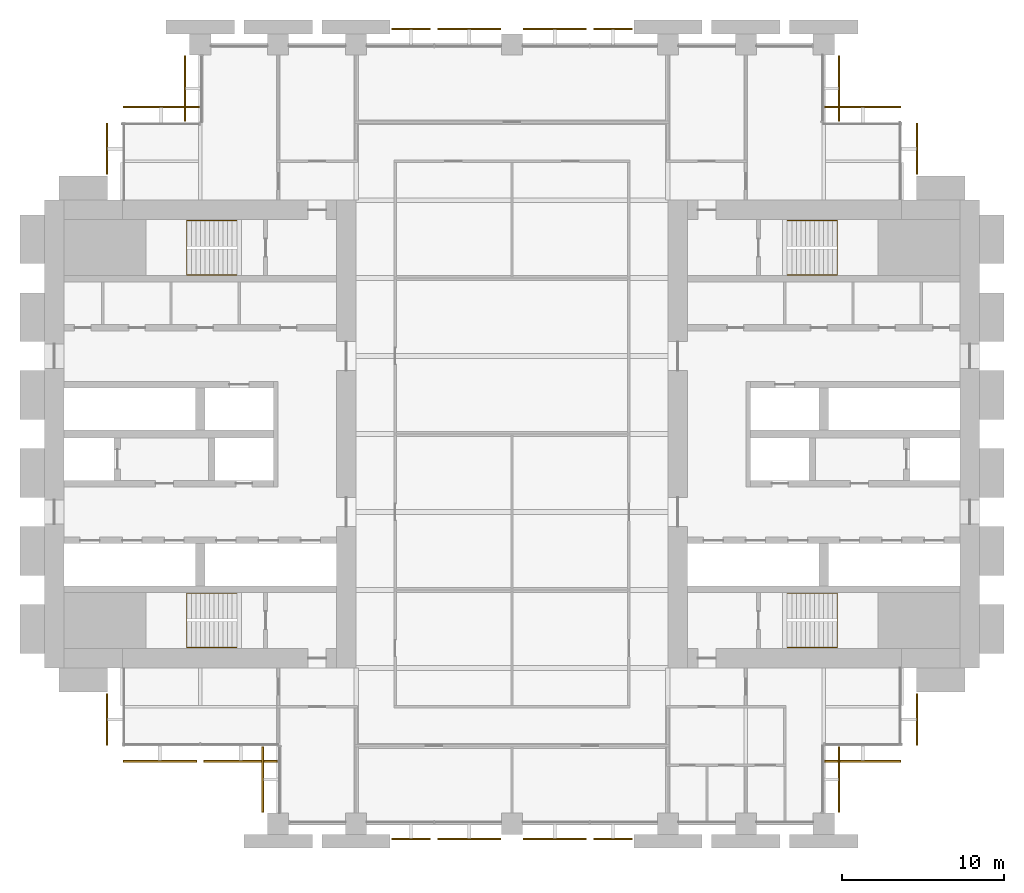
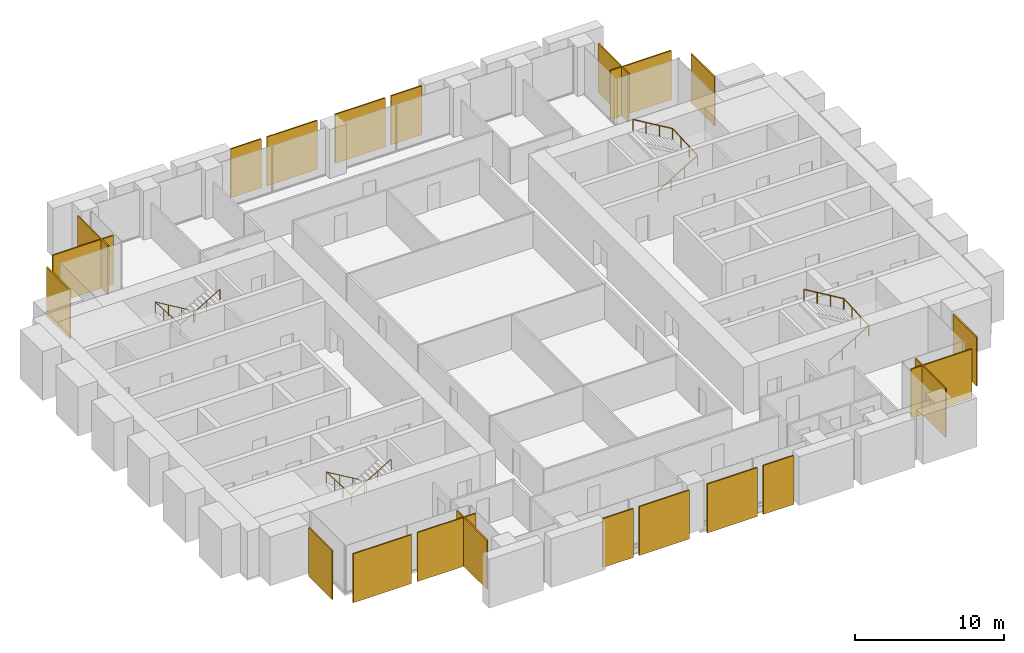
# One storey, part 14 of 14: 21 coverings, 4 railings.
"""IFC4 building model written with IfcOpenShell, lengths in metres."""

from ifc_helpers import new_model, si_unit, direction, frame, origin, origin_2d, place, context, subcontext, project, spatial, polyline, circle, outline, extrude, material, layer, layer_set, type_object, element, save


model = new_model("IFC4")

# Units and contexts
model_context = context("Model", 3, precision=1e-05, world=origin(), true_north=direction((0.0, 1.0)))
body_context = subcontext(model_context, "Body", "Model", "MODEL_VIEW")
ifc_project = project(units=[si_unit("LENGTHUNIT", "METRE"), si_unit("AREAUNIT", "SQUARE_METRE"), si_unit("VOLUMEUNIT", "CUBIC_METRE"), si_unit("PLANEANGLEUNIT", "RADIAN"), si_unit("MASSUNIT", "GRAM", prefix="KILO")], contexts=[model_context])

# Site, building, storey
site_placement = place(None, origin())
site = spatial("IfcSite", under=ifc_project, at=site_placement, CompositionType="ELEMENT")
building_placement = place(site_placement, origin())
building = spatial("IfcBuilding", under=site, at=building_placement, Name="Baori Bourse Tower", CompositionType="ELEMENT")
storey_placement = place(building_placement, frame((0.0, 0.0, 43.0)))
storey = spatial("IfcBuildingStorey", under=building, at=storey_placement, Name="L08", CompositionType="ELEMENT", Elevation=43.0)

# Railings
ifc_material_1 = material(Name="Powder-coated steel balustrade", Category="steel")
railing_type = type_object("IfcRailingType", Name="Core stair handrail", PredefinedType="HANDRAIL", material=ifc_material_1)
railing_1_placement = place(storey_placement, frame((11.85009765625, 14.199951171875, 0.166748046875)))
element("IfcRailing", 1, at=railing_1_placement, inside=storey, type_object=railing_type, Name="L08 ST1 stair handrail 1", PredefinedType="HANDRAIL", context=body_context, shape_type="SweptSolid", body=[
    extrude(circle(Radius=0.02392578125, at=origin_2d()), frame((0.0, 0.0, 0.8759765625), z_axis=(-0.859308565015, 0.0, 0.511457515432), x_axis=(0.0, -1.0, 0.0)), (0.0, 0.0, 1.0), 3.58447265625),
    extrude(circle(Radius=0.02392578125, at=origin_2d()), frame((-3.080078125, 0.0, 2.708984375), z_axis=(0.0, -0.998763387249, 0.04971615724), x_axis=(1.0, 0.0, 0.0)), (0.0, 0.0, 1.0), 3.35400390625),
    extrude(circle(Radius=0.02392578125, at=origin_2d()), frame((-3.080078125, -3.349853515625, 2.8759765625), z_axis=(0.859308565015, 0.0, 0.511457515432), x_axis=(0.0, 1.0, 0.0)), (0.0, 0.0, 1.0), 3.58447265625),
    extrude(circle(Radius=0.02099609375, at=origin_2d()), origin(), (0.0, 0.0, 1.0), 0.851806640625),
    extrude(circle(Radius=0.02099609375, at=origin_2d()), frame((-1.026611328125, 0.0, 0.611083984375)), (0.0, 0.0, 1.0), 0.851806640625),
    extrude(circle(Radius=0.02099609375, at=origin_2d()), frame((-2.053466796875, 0.0, 1.22216796875)), (0.0, 0.0, 1.0), 0.851806640625),
    extrude(circle(Radius=0.02099609375, at=origin_2d()), frame((-3.080078125, 0.0, 1.833251953125)), (0.0, 0.0, 1.0), 0.851806640625),
    extrude(circle(Radius=0.02099609375, at=origin_2d()), frame((-3.080078125, -1.11669921875, 1.888916015625)), (0.0, 0.0, 1.0), 0.851806640625),
    extrude(circle(Radius=0.02099609375, at=origin_2d()), frame((-3.080078125, -2.233154296875, 1.9443359375)), (0.0, 0.0, 1.0), 0.851806640625),
    extrude(circle(Radius=0.02099609375, at=origin_2d()), frame((-3.080078125, -3.349853515625, 2.0)), (0.0, 0.0, 1.0), 0.851806640625),
    extrude(circle(Radius=0.02099609375, at=origin_2d()), frame((-2.053466796875, -3.349853515625, 2.611083984375)), (0.0, 0.0, 1.0), 0.851806640625),
    extrude(circle(Radius=0.02099609375, at=origin_2d()), frame((-1.026611328125, -3.349853515625, 3.22216796875)), (0.0, 0.0, 1.0), 0.851806640625),
    extrude(circle(Radius=0.02099609375, at=origin_2d()), frame((0.0, -3.349853515625, 3.833251953125)), (0.0, 0.0, 1.0), 0.851806640625),
])
railing_2_placement = place(storey_placement, frame((11.85009765625, 37.14990234375, 0.166748046875)))
element("IfcRailing", 2, at=railing_2_placement, inside=storey, type_object=railing_type, Name="L08 ST2 stair handrail 1", PredefinedType="HANDRAIL", context=body_context, shape_type="SweptSolid", body=[
    extrude(circle(Radius=0.02392578125, at=origin_2d()), frame((0.0, 0.0, 0.8759765625), z_axis=(-0.859308565015, 0.0, 0.511457515432), x_axis=(0.0, -1.0, 0.0)), (0.0, 0.0, 1.0), 3.58447265625),
    extrude(circle(Radius=0.02392578125, at=origin_2d()), frame((-3.080078125, 0.0, 2.708984375), z_axis=(0.0, -0.998763387249, 0.04971615724), x_axis=(1.0, 0.0, 0.0)), (0.0, 0.0, 1.0), 3.35400390625),
    extrude(circle(Radius=0.02392578125, at=origin_2d()), frame((-3.080078125, -3.349853515625, 2.8759765625), z_axis=(0.859308565015, 0.0, 0.511457515432), x_axis=(0.0, 1.0, 0.0)), (0.0, 0.0, 1.0), 3.58447265625),
    extrude(circle(Radius=0.02099609375, at=origin_2d()), origin(), (0.0, 0.0, 1.0), 0.851806640625),
    extrude(circle(Radius=0.02099609375, at=origin_2d()), frame((-1.026611328125, 0.0, 0.611083984375)), (0.0, 0.0, 1.0), 0.851806640625),
    extrude(circle(Radius=0.02099609375, at=origin_2d()), frame((-2.053466796875, 0.0, 1.22216796875)), (0.0, 0.0, 1.0), 0.851806640625),
    extrude(circle(Radius=0.02099609375, at=origin_2d()), frame((-3.080078125, 0.0, 1.833251953125)), (0.0, 0.0, 1.0), 0.851806640625),
    extrude(circle(Radius=0.02099609375, at=origin_2d()), frame((-3.080078125, -1.11669921875, 1.888916015625)), (0.0, 0.0, 1.0), 0.851806640625),
    extrude(circle(Radius=0.02099609375, at=origin_2d()), frame((-3.080078125, -2.233154296875, 1.9443359375)), (0.0, 0.0, 1.0), 0.851806640625),
    extrude(circle(Radius=0.02099609375, at=origin_2d()), frame((-3.080078125, -3.349853515625, 2.0)), (0.0, 0.0, 1.0), 0.851806640625),
    extrude(circle(Radius=0.02099609375, at=origin_2d()), frame((-2.053466796875, -3.349853515625, 2.611083984375)), (0.0, 0.0, 1.0), 0.851806640625),
    extrude(circle(Radius=0.02099609375, at=origin_2d()), frame((-1.026611328125, -3.349853515625, 3.22216796875)), (0.0, 0.0, 1.0), 0.851806640625),
    extrude(circle(Radius=0.02099609375, at=origin_2d()), frame((0.0, -3.349853515625, 3.833251953125)), (0.0, 0.0, 1.0), 0.851806640625),
])
railing_3_placement = place(storey_placement, frame((45.75, 10.85009765625, 0.166748046875)))
element("IfcRailing", 3, at=railing_3_placement, inside=storey, type_object=railing_type, Name="L08 ST3 stair handrail 1", PredefinedType="HANDRAIL", context=body_context, shape_type="SweptSolid", body=[
    extrude(circle(Radius=0.02392578125, at=origin_2d()), frame((0.0, 0.0, 0.8759765625), z_axis=(0.859308565015, 0.0, 0.511457515432), x_axis=(0.0, 1.0, 0.0)), (0.0, 0.0, 1.0), 3.58447265625),
    extrude(circle(Radius=0.02392578125, at=origin_2d()), frame((3.080078125, 0.0, 2.708984375), z_axis=(0.0, 0.998763387249, 0.04971615724), x_axis=(-1.0, 0.0, 0.0)), (0.0, 0.0, 1.0), 3.35400390625),
    extrude(circle(Radius=0.02392578125, at=origin_2d()), frame((3.080078125, 3.349853515625, 2.8759765625), z_axis=(-0.859308565015, 0.0, 0.511457515432), x_axis=(0.0, -1.0, 0.0)), (0.0, 0.0, 1.0), 3.58447265625),
    extrude(circle(Radius=0.02099609375, at=origin_2d()), origin(), (0.0, 0.0, 1.0), 0.851806640625),
    extrude(circle(Radius=0.02099609375, at=origin_2d()), frame((1.026611328125, 0.0, 0.611083984375)), (0.0, 0.0, 1.0), 0.851806640625),
    extrude(circle(Radius=0.02099609375, at=origin_2d()), frame((2.053466796875, 0.0, 1.22216796875)), (0.0, 0.0, 1.0), 0.851806640625),
    extrude(circle(Radius=0.02099609375, at=origin_2d()), frame((3.080078125, 0.0, 1.833251953125)), (0.0, 0.0, 1.0), 0.851806640625),
    extrude(circle(Radius=0.02099609375, at=origin_2d()), frame((3.080078125, 1.11669921875, 1.888916015625)), (0.0, 0.0, 1.0), 0.851806640625),
    extrude(circle(Radius=0.02099609375, at=origin_2d()), frame((3.080078125, 2.233154296875, 1.9443359375)), (0.0, 0.0, 1.0), 0.851806640625),
    extrude(circle(Radius=0.02099609375, at=origin_2d()), frame((3.080078125, 3.349853515625, 2.0)), (0.0, 0.0, 1.0), 0.851806640625),
    extrude(circle(Radius=0.02099609375, at=origin_2d()), frame((2.053466796875, 3.349853515625, 2.611083984375)), (0.0, 0.0, 1.0), 0.851806640625),
    extrude(circle(Radius=0.02099609375, at=origin_2d()), frame((1.026611328125, 3.349853515625, 3.22216796875)), (0.0, 0.0, 1.0), 0.851806640625),
    extrude(circle(Radius=0.02099609375, at=origin_2d()), frame((0.0, 3.349853515625, 3.833251953125)), (0.0, 0.0, 1.0), 0.851806640625),
])
railing_4_placement = place(storey_placement, frame((45.75, 33.800048828125, 0.166748046875)))
element("IfcRailing", 4, at=railing_4_placement, inside=storey, type_object=railing_type, Name="L08 ST4 stair handrail 1", PredefinedType="HANDRAIL", context=body_context, shape_type="SweptSolid", body=[
    extrude(circle(Radius=0.02392578125, at=origin_2d()), frame((0.0, 0.0, 0.8759765625), z_axis=(0.859308565015, 0.0, 0.511457515432), x_axis=(0.0, 1.0, 0.0)), (0.0, 0.0, 1.0), 3.58447265625),
    extrude(circle(Radius=0.02392578125, at=origin_2d()), frame((3.080078125, 0.0, 2.708984375), z_axis=(0.0, 0.998763387249, 0.04971615724), x_axis=(-1.0, 0.0, 0.0)), (0.0, 0.0, 1.0), 3.35400390625),
    extrude(circle(Radius=0.02392578125, at=origin_2d()), frame((3.080078125, 3.349853515625, 2.8759765625), z_axis=(-0.859308565015, 0.0, 0.511457515432), x_axis=(0.0, -1.0, 0.0)), (0.0, 0.0, 1.0), 3.58447265625),
    extrude(circle(Radius=0.02099609375, at=origin_2d()), origin(), (0.0, 0.0, 1.0), 0.851806640625),
    extrude(circle(Radius=0.02099609375, at=origin_2d()), frame((1.026611328125, 0.0, 0.611083984375)), (0.0, 0.0, 1.0), 0.851806640625),
    extrude(circle(Radius=0.02099609375, at=origin_2d()), frame((2.053466796875, 0.0, 1.22216796875)), (0.0, 0.0, 1.0), 0.851806640625),
    extrude(circle(Radius=0.02099609375, at=origin_2d()), frame((3.080078125, 0.0, 1.833251953125)), (0.0, 0.0, 1.0), 0.851806640625),
    extrude(circle(Radius=0.02099609375, at=origin_2d()), frame((3.080078125, 1.11669921875, 1.888916015625)), (0.0, 0.0, 1.0), 0.851806640625),
    extrude(circle(Radius=0.02099609375, at=origin_2d()), frame((3.080078125, 2.233154296875, 1.9443359375)), (0.0, 0.0, 1.0), 0.851806640625),
    extrude(circle(Radius=0.02099609375, at=origin_2d()), frame((3.080078125, 3.349853515625, 2.0)), (0.0, 0.0, 1.0), 0.851806640625),
    extrude(circle(Radius=0.02099609375, at=origin_2d()), frame((2.053466796875, 3.349853515625, 2.611083984375)), (0.0, 0.0, 1.0), 0.851806640625),
    extrude(circle(Radius=0.02099609375, at=origin_2d()), frame((1.026611328125, 3.349853515625, 3.22216796875)), (0.0, 0.0, 1.0), 0.851806640625),
    extrude(circle(Radius=0.02099609375, at=origin_2d()), frame((0.0, 3.349853515625, 3.833251953125)), (0.0, 0.0, 1.0), 0.851806640625),
])

# Coverings
ifc_material_2 = material(Name="Pale anodised aluminium", Category="aluminium")
ifc_layer = layer(ifc_material_2, 0.10009765625)
ifc_layer_set = layer_set([ifc_layer], Name="OS3 Outer skin screen panel")
covering_type = type_object("IfcCoveringType", Name="OS3 Outer skin screen panel", PredefinedType="CLADDING", material=ifc_layer_set)
covering_1_placement = place(storey_placement, frame((0.0, 0.0, -0.159912109375)))
element("IfcCovering", 5, at=covering_1_placement, inside=storey, type_object=covering_type, Name="Outer skin screen L08 1", PredefinedType="CLADDING", context=body_context, shape_type="SweptSolid", body=[
    extrude(outline(polyline([(53.699951171875, 43.14990234375), (53.699951171875, 40.0), (53.800048828125, 40.0), (53.800048828125, 43.14990234375), (53.699951171875, 43.14990234375)])), origin(), (0.0, 0.0, 1.0), 4.0),
])
covering_2_placement = place(storey_placement, frame((0.0, 0.0, -0.159912109375)))
element("IfcCovering", 6, at=covering_2_placement, inside=storey, type_object=covering_type, Name="Outer skin screen L08 2", PredefinedType="CLADDING", context=body_context, shape_type="SweptSolid", body=[
    extrude(outline(polyline([(48.050048828125, 44.10009765625), (52.75, 44.10009765625), (52.75, 44.199951171875), (48.050048828125, 44.199951171875), (48.050048828125, 44.10009765625)])), origin(), (0.0, 0.0, 1.0), 4.0),
])
covering_3_placement = place(storey_placement, frame((0.0, 0.0, -0.159912109375)))
element("IfcCovering", 7, at=covering_3_placement, inside=storey, type_object=covering_type, Name="Outer skin screen L08 3", PredefinedType="CLADDING", context=body_context, shape_type="SweptSolid", body=[
    extrude(outline(polyline([(48.89990234375, 47.300048828125), (48.89990234375, 43.25), (49.0, 43.25), (49.0, 47.300048828125), (48.89990234375, 47.300048828125)])), origin(), (0.0, 0.0, 1.0), 4.0),
])
covering_4_placement = place(storey_placement, frame((0.0, 0.0, -0.159912109375)))
element("IfcCovering", 8, at=covering_4_placement, inside=storey, type_object=covering_type, Name="Outer skin screen L08 4", PredefinedType="CLADDING", context=body_context, shape_type="SweptSolid", body=[
    extrude(outline(polyline([(33.824951171875, 48.89990234375), (36.199951171875, 48.89990234375), (36.199951171875, 49.0), (33.824951171875, 49.0), (33.824951171875, 48.89990234375)])), origin(), (0.0, 0.0, 1.0), 4.0),
])
covering_5_placement = place(storey_placement, frame((0.0, 0.0, -0.159912109375)))
element("IfcCovering", 9, at=covering_5_placement, inside=storey, type_object=covering_type, Name="Outer skin screen L08 5", PredefinedType="CLADDING", context=body_context, shape_type="SweptSolid", body=[
    extrude(outline(polyline([(29.5, 48.89990234375), (33.375, 48.89990234375), (33.375, 49.0), (29.5, 49.0), (29.5, 48.89990234375)])), origin(), (0.0, 0.0, 1.0), 4.0),
])
covering_6_placement = place(storey_placement, frame((0.0, 0.0, -0.159912109375)))
element("IfcCovering", 10, at=covering_6_placement, inside=storey, type_object=covering_type, Name="Outer skin screen L08 6", PredefinedType="CLADDING", context=body_context, shape_type="SweptSolid", body=[
    extrude(outline(polyline([(24.22509765625, 48.89990234375), (28.10009765625, 48.89990234375), (28.10009765625, 49.0), (24.22509765625, 49.0), (24.22509765625, 48.89990234375)])), origin(), (0.0, 0.0, 1.0), 4.0),
])
covering_7_placement = place(storey_placement, frame((0.0, 0.0, -0.159912109375)))
element("IfcCovering", 11, at=covering_7_placement, inside=storey, type_object=covering_type, Name="Outer skin screen L08 7", PredefinedType="CLADDING", context=body_context, shape_type="SweptSolid", body=[
    extrude(outline(polyline([(21.39990234375, 48.89990234375), (23.77490234375, 48.89990234375), (23.77490234375, 49.0), (21.39990234375, 49.0), (21.39990234375, 48.89990234375)])), origin(), (0.0, 0.0, 1.0), 4.0),
])
covering_8_placement = place(storey_placement, frame((0.0, 0.0, -0.159912109375)))
element("IfcCovering", 12, at=covering_8_placement, inside=storey, type_object=covering_type, Name="Outer skin screen L08 8", PredefinedType="CLADDING", context=body_context, shape_type="SweptSolid", body=[
    extrude(outline(polyline([(8.699951171875, 43.25), (8.699951171875, 47.300048828125), (8.60009765625, 47.300048828125), (8.60009765625, 43.25), (8.699951171875, 43.25)])), origin(), (0.0, 0.0, 1.0), 4.0),
])
covering_9_placement = place(storey_placement, frame((0.0, 0.0, -0.159912109375)))
element("IfcCovering", 13, at=covering_9_placement, inside=storey, type_object=covering_type, Name="Outer skin screen L08 9", PredefinedType="CLADDING", context=body_context, shape_type="SweptSolid", body=[
    extrude(outline(polyline([(4.85009765625, 44.10009765625), (9.550048828125, 44.10009765625), (9.550048828125, 44.199951171875), (4.85009765625, 44.199951171875), (4.85009765625, 44.10009765625)])), origin(), (0.0, 0.0, 1.0), 4.0),
])
covering_10_placement = place(storey_placement, frame((0.0, 0.0, -0.159912109375)))
element("IfcCovering", 14, at=covering_10_placement, inside=storey, type_object=covering_type, Name="Outer skin screen L08 10", PredefinedType="CLADDING", context=body_context, shape_type="SweptSolid", body=[
    extrude(outline(polyline([(3.89990234375, 40.0), (3.89990234375, 43.14990234375), (3.800048828125, 43.14990234375), (3.800048828125, 40.0), (3.89990234375, 40.0), (3.89990234375, 40.0)])), origin(), (0.0, 0.0, 1.0), 4.0),
])
covering_11_placement = place(storey_placement, frame((0.0, 0.0, -0.159912109375)))
element("IfcCovering", 15, at=covering_11_placement, inside=storey, type_object=covering_type, Name="Outer skin screen L08 11", PredefinedType="CLADDING", context=body_context, shape_type="SweptSolid", body=[
    extrude(outline(polyline([(3.89990234375, 4.85009765625), (3.89990234375, 8.0), (3.89990234375, 8.0), (3.800048828125, 8.0), (3.800048828125, 4.85009765625), (3.89990234375, 4.85009765625)])), origin(), (0.0, 0.0, 1.0), 4.0),
])
covering_12_placement = place(storey_placement, frame((0.0, 0.0, -0.159912109375)))
element("IfcCovering", 16, at=covering_12_placement, inside=storey, type_object=covering_type, Name="Outer skin screen L08 12", PredefinedType="CLADDING", context=body_context, shape_type="SweptSolid", body=[
    extrude(outline(polyline([(9.375, 3.89990234375), (4.85009765625, 3.89990234375), (4.85009765625, 3.800048828125), (9.375, 3.800048828125), (9.375, 3.89990234375)])), origin(), (0.0, 0.0, 1.0), 4.0),
])
covering_13_placement = place(storey_placement, frame((0.0, 0.0, -0.159912109375)))
element("IfcCovering", 17, at=covering_13_placement, inside=storey, type_object=covering_type, Name="Outer skin screen L08 13", PredefinedType="CLADDING", context=body_context, shape_type="SweptSolid", body=[
    extrude(outline(polyline([(14.35009765625, 3.89990234375), (9.824951171875, 3.89990234375), (9.824951171875, 3.800048828125), (14.35009765625, 3.800048828125), (14.35009765625, 3.89990234375)])), origin(), (0.0, 0.0, 1.0), 4.0),
])
covering_14_placement = place(storey_placement, frame((0.0, 0.0, -0.159912109375)))
element("IfcCovering", 18, at=covering_14_placement, inside=storey, type_object=covering_type, Name="Outer skin screen L08 14", PredefinedType="CLADDING", context=body_context, shape_type="SweptSolid", body=[
    extrude(outline(polyline([(13.5, 0.699951171875), (13.5, 4.75), (13.39990234375, 4.75), (13.39990234375, 0.699951171875), (13.5, 0.699951171875)])), origin(), (0.0, 0.0, 1.0), 4.0),
])
covering_15_placement = place(storey_placement, frame((0.0, 0.0, -0.159912109375)))
element("IfcCovering", 19, at=covering_15_placement, inside=storey, type_object=covering_type, Name="Outer skin screen L08 15", PredefinedType="CLADDING", context=body_context, shape_type="SweptSolid", body=[
    extrude(outline(polyline([(23.77490234375, -0.89990234375), (21.39990234375, -0.89990234375), (21.39990234375, -1.0), (23.77490234375, -1.0), (23.77490234375, -0.89990234375)])), origin(), (0.0, 0.0, 1.0), 4.0),
])
covering_16_placement = place(storey_placement, frame((0.0, 0.0, -0.159912109375)))
element("IfcCovering", 20, at=covering_16_placement, inside=storey, type_object=covering_type, Name="Outer skin screen L08 16", PredefinedType="CLADDING", context=body_context, shape_type="SweptSolid", body=[
    extrude(outline(polyline([(28.10009765625, -0.89990234375), (24.22509765625, -0.89990234375), (24.22509765625, -1.0), (28.10009765625, -1.0), (28.10009765625, -0.89990234375)])), origin(), (0.0, 0.0, 1.0), 4.0),
])
covering_17_placement = place(storey_placement, frame((0.0, 0.0, -0.159912109375)))
element("IfcCovering", 21, at=covering_17_placement, inside=storey, type_object=covering_type, Name="Outer skin screen L08 17", PredefinedType="CLADDING", context=body_context, shape_type="SweptSolid", body=[
    extrude(outline(polyline([(33.375, -0.89990234375), (29.5, -0.89990234375), (29.5, -1.0), (33.375, -1.0), (33.375, -0.89990234375)])), origin(), (0.0, 0.0, 1.0), 4.0),
])
covering_18_placement = place(storey_placement, frame((0.0, 0.0, -0.159912109375)))
element("IfcCovering", 22, at=covering_18_placement, inside=storey, type_object=covering_type, Name="Outer skin screen L08 18", PredefinedType="CLADDING", context=body_context, shape_type="SweptSolid", body=[
    extrude(outline(polyline([(36.199951171875, -0.89990234375), (33.824951171875, -0.89990234375), (33.824951171875, -1.0), (36.199951171875, -1.0), (36.199951171875, -0.89990234375)])), origin(), (0.0, 0.0, 1.0), 4.0),
])
covering_19_placement = place(storey_placement, frame((0.0, 0.0, -0.159912109375)))
element("IfcCovering", 23, at=covering_19_placement, inside=storey, type_object=covering_type, Name="Outer skin screen L08 19", PredefinedType="CLADDING", context=body_context, shape_type="SweptSolid", body=[
    extrude(outline(polyline([(48.89990234375, 4.75), (48.89990234375, 0.699951171875), (49.0, 0.699951171875), (49.0, 4.75), (48.89990234375, 4.75)])), origin(), (0.0, 0.0, 1.0), 4.0),
])
covering_20_placement = place(storey_placement, frame((0.0, 0.0, -0.159912109375)))
element("IfcCovering", 24, at=covering_20_placement, inside=storey, type_object=covering_type, Name="Outer skin screen L08 20", PredefinedType="CLADDING", context=body_context, shape_type="SweptSolid", body=[
    extrude(outline(polyline([(52.75, 3.89990234375), (48.050048828125, 3.89990234375), (48.050048828125, 3.800048828125), (52.75, 3.800048828125), (52.75, 3.89990234375)])), origin(), (0.0, 0.0, 1.0), 4.0),
])
covering_21_placement = place(storey_placement, frame((0.0, 0.0, -0.159912109375)))
element("IfcCovering", 25, at=covering_21_placement, inside=storey, type_object=covering_type, Name="Outer skin screen L08 21", PredefinedType="CLADDING", context=body_context, shape_type="SweptSolid", body=[
    extrude(outline(polyline([(53.699951171875, 8.0), (53.699951171875, 4.85009765625), (53.800048828125, 4.85009765625), (53.800048828125, 8.0), (53.699951171875, 8.0)])), origin(), (0.0, 0.0, 1.0), 4.0),
])

save(model, "model.ifc")
